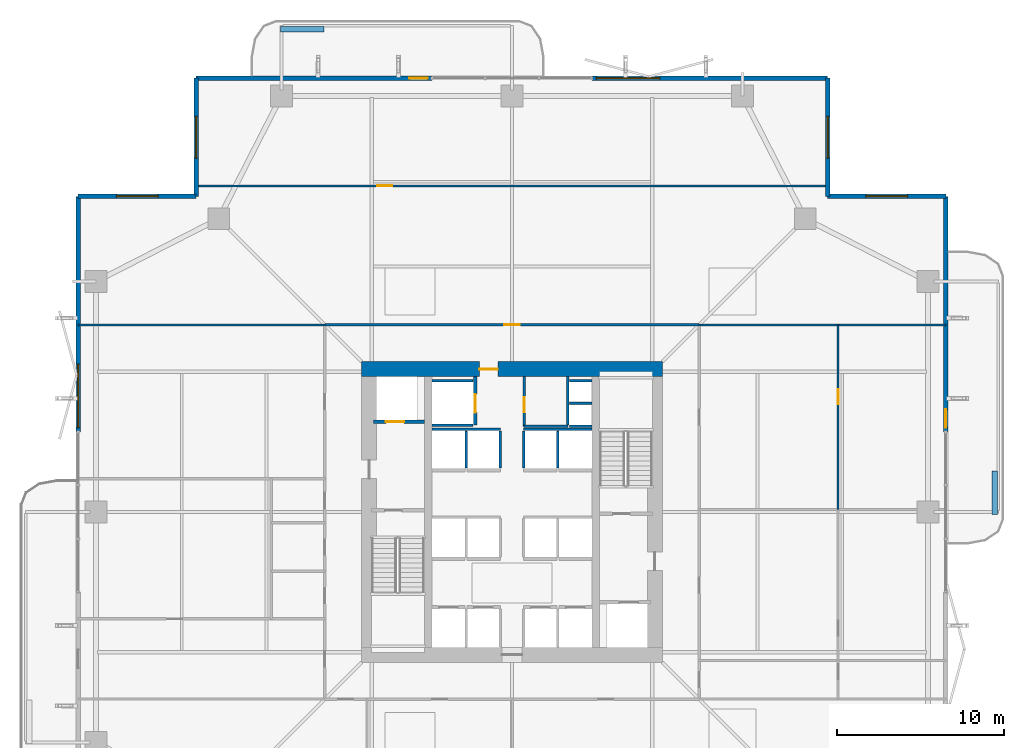
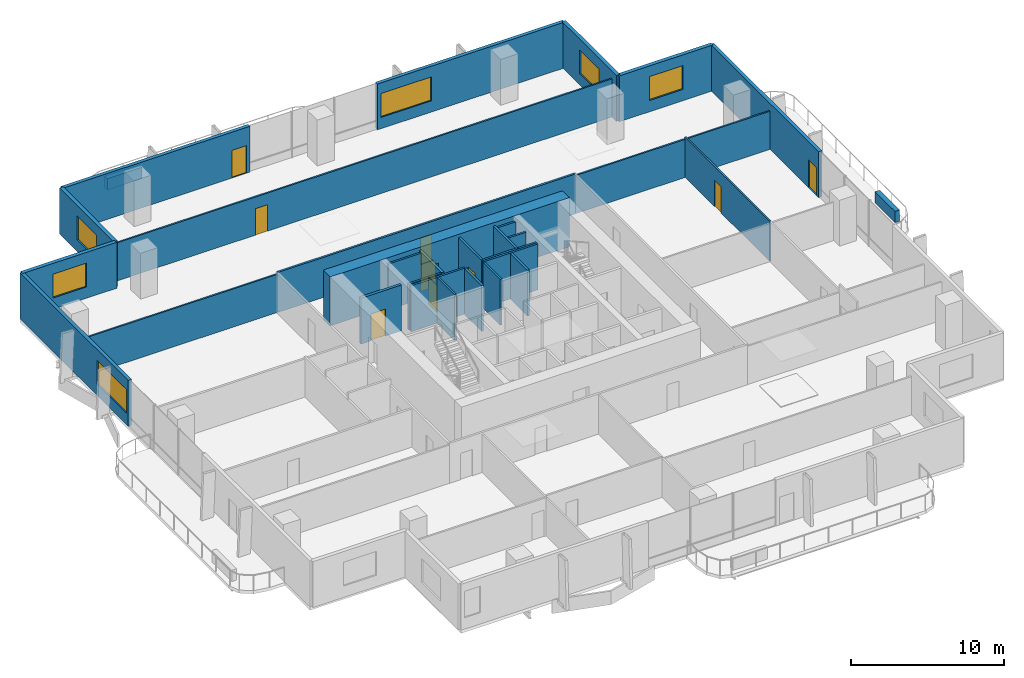
# One storey, part 19 of 24: 32 walls, 9 doors, 6 windows, 15 openings.
"""IFC4 building model written with IfcOpenShell, lengths in metres."""

from ifc_helpers import new_model, si_unit, direction, frame, frame_2d, origin, place, context, subcontext, project, spatial, rectangle, extrude, material, layer, layer_set, type_object, element, fill, save


model = new_model("IFC4")

# Units and contexts
model_context = context("Model", 3, precision=1e-05, world=origin(), true_north=direction((0.0, 1.0)))
body_context = subcontext(model_context, "Body", "Model", "MODEL_VIEW")
ifc_project = project(units=[si_unit("LENGTHUNIT", "METRE"), si_unit("AREAUNIT", "SQUARE_METRE"), si_unit("VOLUMEUNIT", "CUBIC_METRE"), si_unit("PLANEANGLEUNIT", "RADIAN"), si_unit("MASSUNIT", "GRAM", prefix="KILO")], contexts=[model_context])

# Site, building, storey
site_placement = place(None, origin())
site = spatial("IfcSite", under=ifc_project, at=site_placement, CompositionType="ELEMENT")
building_placement = place(site_placement, origin())
building = spatial("IfcBuilding", under=site, at=building_placement, Name="Belovzor Exchange Tower", CompositionType="ELEMENT")
storey_placement = place(building_placement, frame((0.0, 0.0, 121.199951171875)))
storey = spatial("IfcBuildingStorey", under=building, at=storey_placement, Name="L29", CompositionType="ELEMENT", Elevation=121.199951171875)

# Wall, opening, door
ifc_material_1 = material(Name="Acoustic Plasterboard on Galvanised Studs", Category="gypsum")
ifc_layer_1 = layer(ifc_material_1, 0.1201171875)
ifc_layer_set_1 = layer_set([ifc_layer_1], Name="Acoustic Plasterboard on Galvanised Studs")
wall_type_1 = type_object("IfcWallType", Name="Acoustic Double-Stud Partition Wall 120", PredefinedType="PARTITIONING", material=ifc_layer_set_1)
wall_1_placement = place(storey_placement, frame((9.89990234375, 48.320068359375, 0.0), z_axis=(0.0, 0.0, 1.0), x_axis=(1.0, 0.0, 0.0)))
wall_1 = element("IfcWall", 1, at=wall_1_placement, inside=storey, type_object=wall_type_1, Name="W-P120 Partition Wall W-L29-NHDIV-0", PredefinedType="PARTITIONING", context=body_context, shape_type="SweptSolid", body=[
    extrude(rectangle(XDim=37.800048828125, YDim=0.1201171875, at=frame_2d((18.89990234375, 0.0))), origin(), (0.0, 0.0, 1.0), 3.03515625),
])
opening_1_placement = place(wall_1_placement, frame((10.845947265625, 0.0, 0.0)))
opening_1 = element("IfcOpeningElement", 2, at=opening_1_placement, cuts=wall_1, Name="Opening D-INT-090", PredefinedType="OPENING", context=body_context, shape_type="SweptSolid", body=[
    extrude(rectangle(XDim=0.89990234375, YDim=2.10009765625, at=frame_2d((0.449951171875, 1.050048828125))), frame((0.0, 0.070068359375, 0.0), z_axis=(0.0, -1.0, 0.0), x_axis=(1.0, 0.0, 0.0)), (0.0, 0.0, 1.0), 0.14013671875),
])
ifc_material_2 = material(Name="Veneered Hardwood Acoustic Leaf", Category="wood")
door_type_1 = type_object("IfcDoorType", Name="Trading Suite Acoustic Single Door 900x2100", OperationType="NOTDEFINED", PredefinedType="DOOR", material=ifc_material_2)
door_1_placement = place(opening_1_placement, origin())
door_1 = element("IfcDoor", 3, at=door_1_placement, inside=storey, type_object=door_type_1, Name="D-INT-090 Trading Suite Acoustic Single Door 900x2100", OperationType="SINGLE_SWING_RIGHT", OverallHeight=2.10009765625, OverallWidth=0.89990234375, PredefinedType="DOOR", context=body_context, shape_type="SweptSolid", body=[
    extrude(rectangle(XDim=0.89990234375, YDim=2.10009765625, at=frame_2d((0.449951171875, 1.050048828125))), frame((0.0, 0.02490234375, 0.0), z_axis=(0.0, -1.0, 0.0), x_axis=(1.0, 0.0, 0.0)), (0.0, 0.0, 1.0), 0.050048828125),
])
fill(opening_1, door_1)

# Walls
for number, where, z_axis, x_axis, name in (
    (4, (2.830078125, 40.0, 0.0), (0.0, 0.0, 1.0), (1.0, 0.0, 0.0), "W-P120 Partition Wall W-L29-END-NW"),
    (5, (40.0, 40.0, 0.0), (0.0, 0.0, 1.0), (1.0, 0.0, 0.0), "W-P120 Partition Wall W-L29-END-NE"),
):
    element("IfcWall", number, at=place(storey_placement, frame(where, z_axis=z_axis, x_axis=x_axis)), inside=storey, type_object=wall_type_1, Name=name, PredefinedType="PARTITIONING", context=body_context, shape_type="SweptSolid", body=[
        extrude(rectangle(XDim=14.77001953125, YDim=0.1201171875, at=frame_2d((7.385009765625, 0.0))), origin(), (0.0, 0.0, 1.0), 3.03515625),
    ])

# Wall, opening, door
wall_2_placement = place(storey_placement, frame((48.320068359375, 28.9560546875, 0.0), z_axis=(0.0, 0.0, 1.0), x_axis=(0.0, 1.0, 0.0)))
wall_2 = element("IfcWall", 6, at=wall_2_placement, inside=storey, type_object=wall_type_1, Name="W-P120 Partition Wall W-L29-EHDIV-2", PredefinedType="PARTITIONING", context=body_context, shape_type="SweptSolid", body=[
    extrude(rectangle(XDim=11.0439453125, YDim=0.1201171875, at=frame_2d((5.52197265625, 0.0))), origin(), (0.0, 0.0, 1.0), 3.18505859375),
])
opening_2_placement = place(wall_2_placement, frame((6.2900390625, 0.0, 0.0)))
opening_2 = element("IfcOpeningElement", 7, at=opening_2_placement, cuts=wall_2, Name="Opening D-INT-090", PredefinedType="OPENING", context=body_context, shape_type="SweptSolid", body=[
    extrude(rectangle(XDim=0.89990234375, YDim=2.10009765625, at=frame_2d((0.449951171875, 1.050048828125))), frame((0.0, 0.070068359375, 0.0), z_axis=(0.0, -1.0, 0.0), x_axis=(1.0, 0.0, 0.0)), (0.0, 0.0, 1.0), 0.14013671875),
])
door_2_placement = place(opening_2_placement, origin())
door_2 = element("IfcDoor", 8, at=door_2_placement, inside=storey, type_object=door_type_1, Name="D-INT-090 Trading Suite Acoustic Single Door 900x2100", OperationType="SINGLE_SWING_RIGHT", OverallHeight=2.10009765625, OverallWidth=0.89990234375, PredefinedType="DOOR", context=body_context, shape_type="SweptSolid", body=[
    extrude(rectangle(XDim=0.89990234375, YDim=2.10009765625, at=frame_2d((0.449951171875, 1.050048828125))), frame((0.0, 0.02490234375, 0.0), z_axis=(0.0, -1.0, 0.0), x_axis=(1.0, 0.0, 0.0)), (0.0, 0.0, 1.0), 0.050048828125),
])
fill(opening_2, door_2)

ifc_material_3 = material(Name="Fire-Rated Gypsum Block and Mineral Wool", Category="gypsum")
ifc_layer_2 = layer(ifc_material_3, 0.14990234375)
ifc_layer_set_2 = layer_set([ifc_layer_2], Name="Fire-Rated Gypsum Block and Mineral Wool")
wall_type_2 = type_object("IfcWallType", Name="Fire-Rated Gypsum Block Corridor Wall 150", PredefinedType="PARTITIONING", material=ifc_layer_set_2)
wall_3_placement = place(storey_placement, frame((29.52490234375, 33.925048828125, 0.0), z_axis=(0.0, 0.0, 1.0), x_axis=(0.0, 1.0, 0.0)))
wall_3 = element("IfcWall", 9, at=wall_3_placement, inside=storey, type_object=wall_type_2, Name="W-P150 Partition Wall W-CRV-L29-W", PredefinedType="PARTITIONING", context=body_context, shape_type="SweptSolid", body=[
    extrude(rectangle(XDim=2.974853515625, YDim=0.14990234375, at=frame_2d((1.4873046875, 0.0))), origin(), (0.0, 0.0, 1.0), 3.650146484375),
])
opening_3_placement = place(wall_3_placement, frame((0.85009765625, 0.0, 0.0)))
opening_3 = element("IfcOpeningElement", 10, at=opening_3_placement, cuts=wall_3, Name="Opening D-FD60-090", PredefinedType="OPENING", context=body_context, shape_type="SweptSolid", body=[
    extrude(rectangle(XDim=0.89990234375, YDim=2.10009765625, at=frame_2d((0.449951171875, 1.050048828125))), frame((0.0, 0.0849609375, 0.0), z_axis=(0.0, -1.0, 0.0), x_axis=(1.0, 0.0, 0.0)), (0.0, 0.0, 1.0), 0.169921875),
])
ifc_material_4 = material(Name="Acoustic Timber Fire Leaf", Category="wood")
door_type_2 = type_object("IfcDoorType", Name="Core Service & Restroom Fire Door 900x2100", OperationType="NOTDEFINED", PredefinedType="DOOR", material=ifc_material_4)
door_3_placement = place(opening_3_placement, origin())
door_3 = element("IfcDoor", 11, at=door_3_placement, inside=storey, type_object=door_type_2, Name="D-FD60-090 Core Service & Restroom Fire Door 900x2100", OperationType="SINGLE_SWING_LEFT", OverallHeight=2.10009765625, OverallWidth=0.89990234375, PredefinedType="DOOR", context=body_context, shape_type="SweptSolid", body=[
    extrude(rectangle(XDim=0.89990234375, YDim=2.10009765625, at=frame_2d((0.449951171875, 1.050048828125))), frame((0.0, 0.02490234375, 0.0), z_axis=(0.0, -1.0, 0.0), x_axis=(1.0, 0.0, 0.0)), (0.0, 0.0, 1.0), 0.050048828125),
])
fill(opening_3, door_3)

# Wall
wall_4_placement = place(storey_placement, frame((29.52490234375, 33.925048828125, 0.0), z_axis=(0.0, 0.0, 1.0), x_axis=(1.0, 0.0, 0.0)))
element("IfcWall", 12, at=wall_4_placement, inside=storey, type_object=wall_type_2, Name="W-P150 Partition Wall W-CRV-L29-S", PredefinedType="PARTITIONING", context=body_context, shape_type="SweptSolid", body=[
    extrude(rectangle(XDim=2.625, YDim=0.14990234375, at=frame_2d((1.3125, 0.0))), origin(), (0.0, 0.0, 1.0), 3.650146484375),
])

# Wall, opening, door
wall_5_placement = place(storey_placement, frame((17.60009765625, 40.0, 0.0), z_axis=(0.0, 0.0, 1.0), x_axis=(1.0, 0.0, 0.0)))
wall_5 = element("IfcWall", 13, at=wall_5_placement, inside=storey, type_object=wall_type_2, Name="W-P150 Partition Wall W-L29-CN", PredefinedType="PARTITIONING", context=body_context, shape_type="SweptSolid", body=[
    extrude(rectangle(XDim=22.39990234375, YDim=0.14990234375, at=frame_2d((11.199951171875, 0.0))), origin(), (0.0, 0.0, 1.0), 3.18505859375),
])
opening_4_placement = place(wall_5_placement, frame((10.75, 0.0, 0.0)))
opening_4 = element("IfcOpeningElement", 14, at=opening_4_placement, cuts=wall_5, Name="Opening D-INT-090", PredefinedType="OPENING", context=body_context, shape_type="SweptSolid", body=[
    extrude(rectangle(XDim=0.89990234375, YDim=2.10009765625, at=frame_2d((0.449951171875, 1.050048828125))), frame((0.0, 0.0849609375, 0.0), z_axis=(0.0, -1.0, 0.0), x_axis=(1.0, 0.0, 0.0)), (0.0, 0.0, 1.0), 0.169921875),
])
door_4_placement = place(opening_4_placement, origin())
door_4 = element("IfcDoor", 15, at=door_4_placement, inside=storey, type_object=door_type_1, Name="D-INT-090 Trading Suite Acoustic Single Door 900x2100", OperationType="SINGLE_SWING_LEFT", OverallHeight=2.10009765625, OverallWidth=0.89990234375, PredefinedType="DOOR", context=body_context, shape_type="SweptSolid", body=[
    extrude(rectangle(XDim=0.89990234375, YDim=2.10009765625, at=frame_2d((0.449951171875, 1.050048828125))), frame((0.0, 0.02490234375, 0.0), z_axis=(0.0, -1.0, 0.0), x_axis=(1.0, 0.0, 0.0)), (0.0, 0.0, 1.0), 0.050048828125),
])
fill(opening_4, door_4)

# Wall, opening, window
ifc_material_5 = material(Name="Precast concrete C40/50", Category="concrete")
ifc_layer_3 = layer(ifc_material_5, 0.280029296875)
ifc_layer_set_3 = layer_set([ifc_layer_3], Name="Precast concrete C40/50")
wall_type_3 = type_object("IfcWallType", Name="Precast Concrete Notched Corner Frame Wall 280", PredefinedType="SOLIDWALL", material=ifc_layer_set_3)
wall_6_placement = place(storey_placement, frame((2.830078125, 47.699951171875, 0.0), z_axis=(0.0, 0.0, 1.0), x_axis=(1.0, 0.0, 0.0)))
wall_6 = element("IfcWall", 16, at=wall_6_placement, inside=storey, type_object=wall_type_3, Name="W-CRN280 Precast Concrete Notched Corner Frame Wall 280 L29", PredefinedType="SOLIDWALL", context=body_context, shape_type="SweptSolid", body=[
    extrude(rectangle(XDim=7.06982421875, YDim=0.280029296875, at=frame_2d((3.534912109375, 0.0))), origin(), (0.0, 0.0, 1.0), 3.650146484375),
])
opening_5_placement = place(wall_6_placement, frame((2.284912109375, 0.0, 0.89990234375)))
opening_5 = element("IfcOpeningElement", 17, at=opening_5_placement, cuts=wall_6, Name="Opening WN-CRN250", PredefinedType="OPENING", context=body_context, shape_type="SweptSolid", body=[
    extrude(rectangle(XDim=2.5, YDim=1.89990234375, at=frame_2d((1.25, 0.949951171875))), frame((0.0, 0.14990234375, 0.0), z_axis=(0.0, -1.0, 0.0), x_axis=(1.0, 0.0, 0.0)), (0.0, 0.0, 1.0), 0.300048828125),
])
ifc_material_6 = material(Name="Thermally Broken Aluminium and Triple Glazing", Category="aluminium")
window_type_1 = type_object("IfcWindowType", Name="Streamline Moderne Corner Wrap Ribbon Window 2500x1900", PartitioningType="SINGLE_PANEL", PredefinedType="WINDOW", material=ifc_material_6)
window_1_placement = place(opening_5_placement, origin())
window_1 = element("IfcWindow", 18, at=window_1_placement, inside=storey, type_object=window_type_1, Name="WN-CRN250 Streamline Moderne Corner Wrap Ribbon Window 2500x1900", OverallHeight=1.89990234375, OverallWidth=2.5, PartitioningType="SINGLE_PANEL", PredefinedType="WINDOW", context=body_context, shape_type="SweptSolid", body=[
    extrude(rectangle(XDim=2.5, YDim=1.89990234375, at=frame_2d((1.25, 0.949951171875))), frame((0.0, 0.030029296875, 0.0), z_axis=(0.0, -1.0, 0.0), x_axis=(1.0, 0.0, 0.0)), (0.0, 0.0, 1.0), 0.06005859375),
])
fill(opening_5, window_1)

wall_7_placement = place(storey_placement, frame((9.89990234375, 47.699951171875, 0.0), z_axis=(0.0, 0.0, 1.0), x_axis=(0.0, 1.0, 0.0)))
wall_7 = element("IfcWall", 19, at=wall_7_placement, inside=storey, type_object=wall_type_3, Name="W-CRN280 Precast Concrete Notched Corner Frame Wall 280 L29", PredefinedType="SOLIDWALL", context=body_context, shape_type="SweptSolid", body=[
    extrude(rectangle(XDim=7.070068359375, YDim=0.280029296875, at=frame_2d((3.53515625, 0.0))), origin(), (0.0, 0.0, 1.0), 3.650146484375),
])
opening_6_placement = place(wall_7_placement, frame((2.284912109375, 0.0, 0.89990234375)))
opening_6 = element("IfcOpeningElement", 20, at=opening_6_placement, cuts=wall_7, Name="Opening WN-CRN250", PredefinedType="OPENING", context=body_context, shape_type="SweptSolid", body=[
    extrude(rectangle(XDim=2.5, YDim=1.89990234375, at=frame_2d((1.25, 0.949951171875))), frame((0.0, 0.14990234375, 0.0), z_axis=(0.0, -1.0, 0.0), x_axis=(1.0, 0.0, 0.0)), (0.0, 0.0, 1.0), 0.300048828125),
])
window_2_placement = place(opening_6_placement, origin())
window_2 = element("IfcWindow", 21, at=window_2_placement, inside=storey, type_object=window_type_1, Name="WN-CRN250 Streamline Moderne Corner Wrap Ribbon Window 2500x1900", OverallHeight=1.89990234375, OverallWidth=2.5, PartitioningType="SINGLE_PANEL", PredefinedType="WINDOW", context=body_context, shape_type="SweptSolid", body=[
    extrude(rectangle(XDim=2.5, YDim=1.89990234375, at=frame_2d((1.25, 0.949951171875))), frame((0.0, 0.030029296875, 0.0), z_axis=(0.0, -1.0, 0.0), x_axis=(1.0, 0.0, 0.0)), (0.0, 0.0, 1.0), 0.06005859375),
])
fill(opening_6, window_2)

wall_8_placement = place(storey_placement, frame((47.699951171875, 54.77001953125, 0.0), z_axis=(0.0, 0.0, 1.0), x_axis=(0.0, -1.0, 0.0)))
wall_8 = element("IfcWall", 22, at=wall_8_placement, inside=storey, type_object=wall_type_3, Name="W-CRN280 Precast Concrete Notched Corner Frame Wall 280 L29", PredefinedType="SOLIDWALL", context=body_context, shape_type="SweptSolid", body=[
    extrude(rectangle(XDim=7.070068359375, YDim=0.280029296875, at=frame_2d((3.53515625, 0.0))), origin(), (0.0, 0.0, 1.0), 3.650146484375),
])
opening_7_placement = place(wall_8_placement, frame((2.284912109375, 0.0, 0.89990234375)))
opening_7 = element("IfcOpeningElement", 23, at=opening_7_placement, cuts=wall_8, Name="Opening WN-CRN250", PredefinedType="OPENING", context=body_context, shape_type="SweptSolid", body=[
    extrude(rectangle(XDim=2.5, YDim=1.89990234375, at=frame_2d((1.25, 0.949951171875))), frame((0.0, 0.14990234375, 0.0), z_axis=(0.0, -1.0, 0.0), x_axis=(1.0, 0.0, 0.0)), (0.0, 0.0, 1.0), 0.300048828125),
])
window_3_placement = place(opening_7_placement, origin())
window_3 = element("IfcWindow", 24, at=window_3_placement, inside=storey, type_object=window_type_1, Name="WN-CRN250 Streamline Moderne Corner Wrap Ribbon Window 2500x1900", OverallHeight=1.89990234375, OverallWidth=2.5, PartitioningType="SINGLE_PANEL", PredefinedType="WINDOW", context=body_context, shape_type="SweptSolid", body=[
    extrude(rectangle(XDim=2.5, YDim=1.89990234375, at=frame_2d((1.25, 0.949951171875))), frame((0.0, 0.030029296875, 0.0), z_axis=(0.0, -1.0, 0.0), x_axis=(1.0, 0.0, 0.0)), (0.0, 0.0, 1.0), 0.06005859375),
])
fill(opening_7, window_3)

wall_9_placement = place(storey_placement, frame((47.699951171875, 47.699951171875, 0.0), z_axis=(0.0, 0.0, 1.0), x_axis=(1.0, 0.0, 0.0)))
wall_9 = element("IfcWall", 25, at=wall_9_placement, inside=storey, type_object=wall_type_3, Name="W-CRN280 Precast Concrete Notched Corner Frame Wall 280 L29", PredefinedType="SOLIDWALL", context=body_context, shape_type="SweptSolid", body=[
    extrude(rectangle(XDim=7.070068359375, YDim=0.280029296875, at=frame_2d((3.53515625, 0.0))), origin(), (0.0, 0.0, 1.0), 3.650146484375),
])
opening_8_placement = place(wall_9_placement, frame((2.284912109375, 0.0, 0.89990234375)))
opening_8 = element("IfcOpeningElement", 26, at=opening_8_placement, cuts=wall_9, Name="Opening WN-CRN250", PredefinedType="OPENING", context=body_context, shape_type="SweptSolid", body=[
    extrude(rectangle(XDim=2.5, YDim=1.89990234375, at=frame_2d((1.25, 0.949951171875))), frame((0.0, 0.14990234375, 0.0), z_axis=(0.0, -1.0, 0.0), x_axis=(1.0, 0.0, 0.0)), (0.0, 0.0, 1.0), 0.300048828125),
])
window_4_placement = place(opening_8_placement, origin())
window_4 = element("IfcWindow", 27, at=window_4_placement, inside=storey, type_object=window_type_1, Name="WN-CRN250 Streamline Moderne Corner Wrap Ribbon Window 2500x1900", OverallHeight=1.89990234375, OverallWidth=2.5, PartitioningType="SINGLE_PANEL", PredefinedType="WINDOW", context=body_context, shape_type="SweptSolid", body=[
    extrude(rectangle(XDim=2.5, YDim=1.89990234375, at=frame_2d((1.25, 0.949951171875))), frame((0.0, 0.030029296875, 0.0), z_axis=(0.0, -1.0, 0.0), x_axis=(1.0, 0.0, 0.0)), (0.0, 0.0, 1.0), 0.06005859375),
])
fill(opening_8, window_4)

# Wall, opening, door
ifc_material_7 = material(Name="Precast concrete C40/50", Category="concrete")
ifc_layer_4 = layer(ifc_material_7, 0.260009765625)
ifc_layer_set_4 = layer_set([ifc_layer_4], Name="Precast concrete C40/50")
wall_type_4 = type_object("IfcWallType", Name="Precast Concrete Perimeter Loggia Frame Wall 260", PredefinedType="SOLIDWALL", material=ifc_layer_set_4)
wall_10_placement = place(storey_placement, frame((9.89990234375, 54.77001953125, 0.0), z_axis=(0.0, 0.0, 1.0), x_axis=(1.0, 0.0, 0.0)))
wall_10 = element("IfcWall", 28, at=wall_10_placement, inside=storey, type_object=wall_type_4, Name="W-EXT260 Precast Concrete Perimeter Loggia Frame Wall 260 L29", PredefinedType="SOLIDWALL", context=body_context, shape_type="SweptSolid", body=[
    extrude(rectangle(XDim=14.10009765625, YDim=0.260009765625, at=frame_2d((7.050048828125, 0.0))), origin(), (0.0, 0.0, 1.0), 3.650146484375),
])
opening_9_placement = place(wall_10_placement, frame((12.75, 0.0, 0.0)))
opening_9 = element("IfcOpeningElement", 29, at=opening_9_placement, cuts=wall_10, Name="Opening D-BAL110", PredefinedType="OPENING", context=body_context, shape_type="SweptSolid", body=[
    extrude(rectangle(XDim=1.10009765625, YDim=2.199951171875, at=frame_2d((0.550048828125, 1.10009765625))), frame((0.0, 0.139892578125, 0.0), z_axis=(0.0, -1.0, 0.0), x_axis=(1.0, 0.0, 0.0)), (0.0, 0.0, 1.0), 0.280029296875),
])
ifc_material_8 = material(Name="Thermally Broken Anodised Aluminium and Laminated Glass", Category="aluminium")
door_type_3 = type_object("IfcDoorType", Name="Planted Loggia Terrace Glazed Door 1100x2200", OperationType="SINGLE_SWING_LEFT", PredefinedType="DOOR", material=ifc_material_8)
door_5_placement = place(opening_9_placement, origin())
door_5 = element("IfcDoor", 30, at=door_5_placement, inside=storey, type_object=door_type_3, Name="D-BAL110 Balcony Terrace Door L29 N", OperationType="SINGLE_SWING_RIGHT", OverallHeight=2.199951171875, OverallWidth=1.10009765625, PredefinedType="DOOR", context=body_context, shape_type="SweptSolid", body=[
    extrude(rectangle(XDim=1.10009765625, YDim=2.199951171875, at=frame_2d((0.550048828125, 1.10009765625))), frame((0.0, 0.02490234375, 0.0), z_axis=(0.0, -1.0, 0.0), x_axis=(1.0, 0.0, 0.0)), (0.0, 0.0, 1.0), 0.050048828125),
])
fill(opening_9, door_5)

# Wall, opening, window
wall_11_placement = place(storey_placement, frame((33.60009765625, 54.77001953125, 0.0), z_axis=(0.0, 0.0, 1.0), x_axis=(1.0, 0.0, 0.0)))
wall_11 = element("IfcWall", 31, at=wall_11_placement, inside=storey, type_object=wall_type_4, Name="W-EXT260 Precast Concrete Perimeter Loggia Frame Wall 260 L29", PredefinedType="SOLIDWALL", context=body_context, shape_type="SweptSolid", body=[
    extrude(rectangle(XDim=14.099853515625, YDim=0.260009765625, at=frame_2d((7.0498046875, 0.0))), origin(), (0.0, 0.0, 1.0), 3.650146484375),
])
opening_10_placement = place(wall_11_placement, frame((0.25, 0.0, 0.89990234375)))
opening_10 = element("IfcOpeningElement", 32, at=opening_10_placement, cuts=wall_11, Name="Opening WN-RIB380", PredefinedType="OPENING", context=body_context, shape_type="SweptSolid", body=[
    extrude(rectangle(XDim=3.800048828125, YDim=1.89990234375, at=frame_2d((1.89990234375, 0.949951171875))), frame((0.0, 0.139892578125, 0.0), z_axis=(0.0, -1.0, 0.0), x_axis=(1.0, 0.0, 0.0)), (0.0, 0.0, 1.0), 0.280029296875),
])
ifc_material_9 = material(Name="Thermally Broken Aluminium and Triple Glazing", Category="aluminium")
window_type_2 = type_object("IfcWindowType", Name="Streamline Moderne Horizontal Ribbon Window 3800x1900", PartitioningType="SINGLE_PANEL", PredefinedType="WINDOW", material=ifc_material_9)
window_5_placement = place(opening_10_placement, origin())
window_5 = element("IfcWindow", 33, at=window_5_placement, inside=storey, type_object=window_type_2, Name="WN-RIB380 Streamline Moderne Horizontal Ribbon Window 3800x1900", OverallHeight=1.89990234375, OverallWidth=3.800048828125, PartitioningType="SINGLE_PANEL", PredefinedType="WINDOW", context=body_context, shape_type="SweptSolid", body=[
    extrude(rectangle(XDim=3.800048828125, YDim=1.89990234375, at=frame_2d((1.89990234375, 0.949951171875))), frame((0.0, 0.030029296875, 0.0), z_axis=(0.0, -1.0, 0.0), x_axis=(1.0, 0.0, 0.0)), (0.0, 0.0, 1.0), 0.06005859375),
])
fill(opening_10, window_5)

wall_12_placement = place(storey_placement, frame((2.830078125, 33.60009765625, 0.0), z_axis=(0.0, 0.0, 1.0), x_axis=(0.0, 1.0, 0.0)))
wall_12 = element("IfcWall", 34, at=wall_12_placement, inside=storey, type_object=wall_type_4, Name="W-EXT260 Precast Concrete Perimeter Loggia Frame Wall 260 L29", PredefinedType="SOLIDWALL", context=body_context, shape_type="SweptSolid", body=[
    extrude(rectangle(XDim=14.099853515625, YDim=0.260009765625, at=frame_2d((7.0498046875, 0.0))), origin(), (0.0, 0.0, 1.0), 3.650146484375),
])
opening_11_placement = place(wall_12_placement, frame((0.25, 0.0, 0.89990234375)))
opening_11 = element("IfcOpeningElement", 35, at=opening_11_placement, cuts=wall_12, Name="Opening WN-RIB380", PredefinedType="OPENING", context=body_context, shape_type="SweptSolid", body=[
    extrude(rectangle(XDim=3.800048828125, YDim=1.89990234375, at=frame_2d((1.89990234375, 0.949951171875))), frame((0.0, 0.139892578125, 0.0), z_axis=(0.0, -1.0, 0.0), x_axis=(1.0, 0.0, 0.0)), (0.0, 0.0, 1.0), 0.280029296875),
])
window_6_placement = place(opening_11_placement, origin())
window_6 = element("IfcWindow", 36, at=window_6_placement, inside=storey, type_object=window_type_2, Name="WN-RIB380 Streamline Moderne Horizontal Ribbon Window 3800x1900", OverallHeight=1.89990234375, OverallWidth=3.800048828125, PartitioningType="SINGLE_PANEL", PredefinedType="WINDOW", context=body_context, shape_type="SweptSolid", body=[
    extrude(rectangle(XDim=3.800048828125, YDim=1.89990234375, at=frame_2d((1.89990234375, 0.949951171875))), frame((0.0, 0.030029296875, 0.0), z_axis=(0.0, -1.0, 0.0), x_axis=(1.0, 0.0, 0.0)), (0.0, 0.0, 1.0), 0.06005859375),
])
fill(opening_11, window_6)

# Wall, opening, door
wall_13_placement = place(storey_placement, frame((54.77001953125, 47.699951171875, 0.0), z_axis=(0.0, 0.0, 1.0), x_axis=(0.0, -1.0, 0.0)))
wall_13 = element("IfcWall", 37, at=wall_13_placement, inside=storey, type_object=wall_type_4, Name="W-EXT260 Precast Concrete Perimeter Loggia Frame Wall 260 L29", PredefinedType="SOLIDWALL", context=body_context, shape_type="SweptSolid", body=[
    extrude(rectangle(XDim=14.099853515625, YDim=0.260009765625, at=frame_2d((7.0498046875, 0.0))), origin(), (0.0, 0.0, 1.0), 3.650146484375),
])
opening_12_placement = place(wall_13_placement, frame((12.75, 0.0, 0.0)))
opening_12 = element("IfcOpeningElement", 38, at=opening_12_placement, cuts=wall_13, Name="Opening D-BAL110", PredefinedType="OPENING", context=body_context, shape_type="SweptSolid", body=[
    extrude(rectangle(XDim=1.10009765625, YDim=2.199951171875, at=frame_2d((0.550048828125, 1.10009765625))), frame((0.0, 0.139892578125, 0.0), z_axis=(0.0, -1.0, 0.0), x_axis=(1.0, 0.0, 0.0)), (0.0, 0.0, 1.0), 0.280029296875),
])
door_6_placement = place(opening_12_placement, origin())
door_6 = element("IfcDoor", 39, at=door_6_placement, inside=storey, type_object=door_type_3, Name="D-BAL110 Balcony Terrace Door L29 E", OperationType="SINGLE_SWING_LEFT", OverallHeight=2.199951171875, OverallWidth=1.10009765625, PredefinedType="DOOR", context=body_context, shape_type="SweptSolid", body=[
    extrude(rectangle(XDim=1.10009765625, YDim=2.199951171875, at=frame_2d((0.550048828125, 1.10009765625))), frame((0.0, 0.02490234375, 0.0), z_axis=(0.0, -1.0, 0.0), x_axis=(1.0, 0.0, 0.0)), (0.0, 0.0, 1.0), 0.050048828125),
])
fill(opening_12, door_6)

# Walls
ifc_material_10 = material(Name="Precast concrete C40/50", Category="concrete")
ifc_layer_5 = layer(ifc_material_10, 0.35009765625)
ifc_layer_set_5 = layer_set([ifc_layer_5], Name="Precast concrete C40/50")
wall_type_5 = type_object("IfcWallType", Name="Precast Concrete Structural Tree Planter Trough 350", PredefinedType="PARAPET", material=ifc_layer_set_5)
for number, where, z_axis, x_axis, name in (
    (40, (14.949951171875, 57.699951171875, 0.0), (0.0, 0.0, 1.0), (1.0, 0.0, 0.0), "PT-350 Precast Concrete Structural Tree Planter Trough 350 L29"),
    (41, (57.699951171875, 28.64990234375, 0.0), (0.0, 0.0, 1.0), (0.0, 1.0, 0.0), "PT-350 Precast Concrete Structural Tree Planter Trough 350 L29"),
):
    element("IfcWall", number, at=place(storey_placement, frame(where, z_axis=z_axis, x_axis=x_axis)), inside=storey, type_object=wall_type_5, Name=name, PredefinedType="PARAPET", context=body_context, shape_type="SweptSolid", body=[
        extrude(rectangle(XDim=2.60009765625, YDim=0.35009765625, at=frame_2d((1.300048828125, 0.0))), origin(), (0.0, 0.0, 1.0), 0.900146484375),
    ])
ifc_material_11 = material(Name="Concrete C50/60", Category="concrete")
ifc_layer_6 = layer(ifc_material_11, 0.14990234375)
ifc_layer_set_6 = layer_set([ifc_layer_6], Name="Concrete C50/60")
wall_type_6 = type_object("IfcWallType", Name="Reinforced Concrete Core Riser Shear Wall 150", PredefinedType="SHEAR", material=ifc_layer_set_6)
wall_14_placement = place(storey_placement, frame((32.14990234375, 34.0, 0.0), z_axis=(0.0, 0.0, 1.0), x_axis=(0.0, 1.0, 0.0)))
element("IfcWall", 42, at=wall_14_placement, inside=storey, type_object=wall_type_6, Name="W-C150S Core Shaft Wall W-RSR-L29-E", PredefinedType="SHEAR", context=body_context, shape_type="SweptSolid", body=[
    extrude(rectangle(XDim=2.89990234375, YDim=0.14990234375, at=frame_2d((1.449951171875, 0.0))), origin(), (0.0, 0.0, 1.0), 3.650146484375),
])
for number, where, z_axis, x_axis, name in (
    (43, (32.25, 33.925048828125, 0.0), (0.0, 0.0, 1.0), (1.0, 0.0, 0.0), "W-C150S Core Shaft Wall W-RSR-L29-S"),
    (44, (32.25, 35.300048828125, 0.0), (0.0, 0.0, 1.0), (1.0, 0.0, 0.0), "W-C150S Core Shaft Wall W-RSR-L29-M"),
):
    element("IfcWall", number, at=place(storey_placement, frame(where, z_axis=z_axis, x_axis=x_axis)), inside=storey, type_object=wall_type_6, Name=name, PredefinedType="SHEAR", context=body_context, shape_type="SweptSolid", body=[
        extrude(rectangle(XDim=1.330078125, YDim=0.14990234375, at=frame_2d((0.6650390625, 0.0))), origin(), (0.0, 0.0, 1.0), 3.650146484375),
    ])
for number, where, z_axis, x_axis, name in (
    (45, (24.0, 34.0, 0.0), (0.0, 0.0, 1.0), (1.0, 0.0, 0.0), "W-C150S Core Shaft Wall W-SH-L29-SL-01S"),
    (46, (24.0, 36.64990234375, 0.0), (0.0, 0.0, 1.0), (1.0, 0.0, 0.0), "W-C150S Core Shaft Wall W-SH-L29-SL-01N"),
):
    element("IfcWall", number, at=place(storey_placement, frame(where, z_axis=z_axis, x_axis=x_axis)), inside=storey, type_object=wall_type_6, Name=name, PredefinedType="SHEAR", context=body_context, shape_type="SweptSolid", body=[
        extrude(rectangle(XDim=2.47998046875, YDim=0.14990234375, at=frame_2d((1.239990234375, 0.0))), origin(), (0.0, 0.0, 1.0), 3.650146484375),
    ])
wall_15_placement = place(storey_placement, frame((32.25, 36.64990234375, 0.0), z_axis=(0.0, 0.0, 1.0), x_axis=(1.0, 0.0, 0.0)))
element("IfcWall", 47, at=wall_15_placement, inside=storey, type_object=wall_type_6, Name="W-C150S Core Shaft Wall W-RSR-L29-N", PredefinedType="SHEAR", context=body_context, shape_type="SweptSolid", body=[
    extrude(rectangle(XDim=1.330078125, YDim=0.14990234375, at=frame_2d((0.6650390625, 0.0))), origin(), (0.0, 0.0, 1.0), 3.650146484375),
])
for number, where, z_axis, x_axis, name in (
    (48, (24.02001953125, 33.760009765625, 0.0), (0.0, 0.0, 1.0), (1.0, 0.0, 0.0), "W-C150S Core Shaft Wall W-SHB-L29-PLH-NW"),
    (49, (29.5, 33.760009765625, 0.0), (0.0, 0.0, 1.0), (1.0, 0.0, 0.0), "W-C150S Core Shaft Wall W-SHB-L29-PLH-NE"),
):
    element("IfcWall", number, at=place(storey_placement, frame(where, z_axis=z_axis, x_axis=x_axis)), inside=storey, type_object=wall_type_6, Name=name, PredefinedType="SHEAR", context=body_context, shape_type="SweptSolid", body=[
        extrude(rectangle(XDim=4.080078125, YDim=0.14990234375, at=frame_2d((2.0400390625, 0.0))), origin(), (0.0, 0.0, 1.0), 3.650146484375),
    ])
for number, where, z_axis, x_axis, name in (
    (50, (26.050048828125, 31.419921875, 0.0), (0.0, 0.0, 1.0), (0.0, 1.0, 0.0), "W-C150S Core Shaft Wall W-SHD-L29-PLH-1"),
    (51, (28.10009765625, 31.419921875, 0.0), (0.0, 0.0, 1.0), (0.0, 1.0, 0.0), "W-C150S Core Shaft Wall W-SHD-L29-PLH-2"),
    (52, (29.5, 31.419921875, 0.0), (0.0, 0.0, 1.0), (0.0, 1.0, 0.0), "W-C150S Core Shaft Wall W-SHD-L29-PLH-3"),
    (53, (31.550048828125, 31.419921875, 0.0), (0.0, 0.0, 1.0), (0.0, 1.0, 0.0), "W-C150S Core Shaft Wall W-SHD-L29-PLH-4"),
):
    element("IfcWall", number, at=place(storey_placement, frame(where, z_axis=z_axis, x_axis=x_axis)), inside=storey, type_object=wall_type_6, Name=name, PredefinedType="SHEAR", context=body_context, shape_type="SweptSolid", body=[
        extrude(rectangle(XDim=2.239990234375, YDim=0.14990234375, at=frame_2d((1.1201171875, 0.0))), origin(), (0.0, 0.0, 1.0), 3.650146484375),
    ])

# Wall, opening, door
ifc_material_12 = material(Name="Concrete C50/60", Category="concrete")
ifc_layer_7 = layer(ifc_material_12, 0.199951171875)
ifc_layer_set_7 = layer_set([ifc_layer_7], Name="Concrete C50/60")
wall_type_7 = type_object("IfcWallType", Name="Reinforced Concrete Core Shaft Shear Wall 200", PredefinedType="SHEAR", material=ifc_layer_set_7)
wall_16_placement = place(storey_placement, frame((20.5, 34.199951171875, 0.0), z_axis=(0.0, 0.0, 1.0), x_axis=(1.0, 0.0, 0.0)))
wall_16 = element("IfcWall", 54, at=wall_16_placement, inside=storey, type_object=wall_type_7, Name="W-C200S Core Shaft Wall W-SH-L29-FFL-01", PredefinedType="SHEAR", context=body_context, shape_type="SweptSolid", body=[
    extrude(rectangle(XDim=3.050048828125, YDim=0.199951171875, at=frame_2d((1.52490234375, 0.0))), origin(), (0.0, 0.0, 1.0), 3.650146484375),
])
opening_13_placement = place(wall_16_placement, frame((0.75, 0.0, 0.0)))
opening_13 = element("IfcOpeningElement", 55, at=opening_13_placement, cuts=wall_16, Name="Opening LD-110", PredefinedType="OPENING", context=body_context, shape_type="SweptSolid", body=[
    extrude(rectangle(XDim=1.10009765625, YDim=2.14990234375, at=frame_2d((0.550048828125, 1.074951171875))), frame((0.0, 0.10986328125, 0.0), z_axis=(0.0, -1.0, 0.0), x_axis=(1.0, 0.0, 0.0)), (0.0, 0.0, 1.0), 0.219970703125),
])
ifc_material_13 = material(Name="Stainless Steel Grade 304", Category="steel")
door_type_4 = type_object("IfcDoorType", Name="Automated Stainless Steel Lift Landing Door 1100x2150", OperationType="SLIDING_TO_RIGHT", PredefinedType="DOOR", material=ifc_material_13)
door_7_placement = place(opening_13_placement, origin())
door_7 = element("IfcDoor", 56, at=door_7_placement, inside=storey, type_object=door_type_4, Name="LD-110 Automated Stainless Steel Lift Landing Door 1100x2150", OperationType="SLIDING_TO_RIGHT", OverallHeight=2.14990234375, OverallWidth=1.10009765625, PredefinedType="DOOR", context=body_context, shape_type="SweptSolid", body=[
    extrude(rectangle(XDim=1.10009765625, YDim=2.14990234375, at=frame_2d((0.550048828125, 1.074951171875))), frame((0.0, 0.02490234375, 0.0), z_axis=(0.0, -1.0, 0.0), x_axis=(1.0, 0.0, 0.0)), (0.0, 0.0, 1.0), 0.050048828125),
])
fill(opening_13, door_7)

wall_17_placement = place(storey_placement, frame((26.60009765625, 34.0, 0.0), z_axis=(0.0, 0.0, 1.0), x_axis=(0.0, 1.0, 0.0)))
wall_17 = element("IfcWall", 57, at=wall_17_placement, inside=storey, type_object=wall_type_7, Name="W-C200S Core Shaft Wall W-SH-L29-SL-01", PredefinedType="SHEAR", context=body_context, shape_type="SweptSolid", body=[
    extrude(rectangle(XDim=2.89990234375, YDim=0.199951171875, at=frame_2d((1.449951171875, 0.0))), origin(), (0.0, 0.0, 1.0), 3.650146484375),
])
opening_14_placement = place(wall_17_placement, frame((0.75, 0.0, 0.0)))
opening_14 = element("IfcOpeningElement", 58, at=opening_14_placement, cuts=wall_17, Name="Opening LD-110", PredefinedType="OPENING", context=body_context, shape_type="SweptSolid", body=[
    extrude(rectangle(XDim=1.10009765625, YDim=2.14990234375, at=frame_2d((0.550048828125, 1.074951171875))), frame((0.0, 0.10986328125, 0.0), z_axis=(0.0, -1.0, 0.0), x_axis=(1.0, 0.0, 0.0)), (0.0, 0.0, 1.0), 0.219970703125),
])
door_8_placement = place(opening_14_placement, origin())
door_8 = element("IfcDoor", 59, at=door_8_placement, inside=storey, type_object=door_type_4, Name="LD-110 Automated Stainless Steel Lift Landing Door 1100x2150", OperationType="SLIDING_TO_RIGHT", OverallHeight=2.14990234375, OverallWidth=1.10009765625, PredefinedType="DOOR", context=body_context, shape_type="SweptSolid", body=[
    extrude(rectangle(XDim=1.10009765625, YDim=2.14990234375, at=frame_2d((0.550048828125, 1.074951171875))), frame((0.0, 0.02490234375, 0.0), z_axis=(0.0, -1.0, 0.0), x_axis=(1.0, 0.0, 0.0)), (0.0, 0.0, 1.0), 0.050048828125),
])
fill(opening_14, door_8)

ifc_material_14 = material(Name="Concrete C60/75", Category="concrete")
ifc_layer_8 = layer(ifc_material_14, 0.89990234375)
ifc_layer_set_8 = layer_set([ifc_layer_8], Name="Concrete C60/75")
wall_type_8 = type_object("IfcWallType", Name="Reinforced Concrete Core Shear Wall 900", PredefinedType="SHEAR", material=ifc_layer_set_8)
wall_18_placement = place(storey_placement, frame((19.800048828125, 37.35009765625, 0.0), z_axis=(0.0, 0.0, 1.0), x_axis=(1.0, 0.0, 0.0)))
wall_18 = element("IfcWall", 60, at=wall_18_placement, inside=storey, type_object=wall_type_8, Name="CW-S090 Core Shear Wall L29 N", PredefinedType="SHEAR", context=body_context, shape_type="SweptSolid", body=[
    extrude(rectangle(XDim=18.0, YDim=0.89990234375, at=frame_2d((9.0, 0.0))), origin(), (0.0, 0.0, 1.0), 3.900146484375),
])
opening_15_placement = place(wall_18_placement, frame((7.050048828125, 0.0, 0.0)))
opening_15 = element("IfcOpeningElement", 61, at=opening_15_placement, cuts=wall_18, Name="Opening D-FD90-110", PredefinedType="OPENING", context=body_context, shape_type="SweptSolid", body=[
    extrude(rectangle(XDim=1.10009765625, YDim=2.14990234375, at=frame_2d((0.550048828125, 1.074951171875))), frame((0.0, 0.4599609375, 0.0), z_axis=(0.0, -1.0, 0.0), x_axis=(1.0, 0.0, 0.0)), (0.0, 0.0, 1.0), 0.919921875),
])
ifc_material_15 = material(Name="Fire-Rated Galvanised Steel Leaf", Category="steel")
door_type_5 = type_object("IfcDoorType", Name="Protected Escape Vestibule Fire Door 1100x2150", OperationType="NOTDEFINED", PredefinedType="DOOR", material=ifc_material_15)
door_9_placement = place(opening_15_placement, origin())
door_9 = element("IfcDoor", 62, at=door_9_placement, inside=storey, type_object=door_type_5, Name="D-FD90-110 Protected Escape Vestibule Fire Door 1100x2150", OperationType="SINGLE_SWING_RIGHT", OverallHeight=2.14990234375, OverallWidth=1.10009765625, PredefinedType="DOOR", context=body_context, shape_type="SweptSolid", body=[
    extrude(rectangle(XDim=1.10009765625, YDim=2.14990234375, at=frame_2d((0.550048828125, 1.074951171875))), frame((0.0, 0.02490234375, 0.0), z_axis=(0.0, -1.0, 0.0), x_axis=(1.0, 0.0, 0.0)), (0.0, 0.0, 1.0), 0.050048828125),
])
fill(opening_15, door_9)

save(model, "model.ifc")
